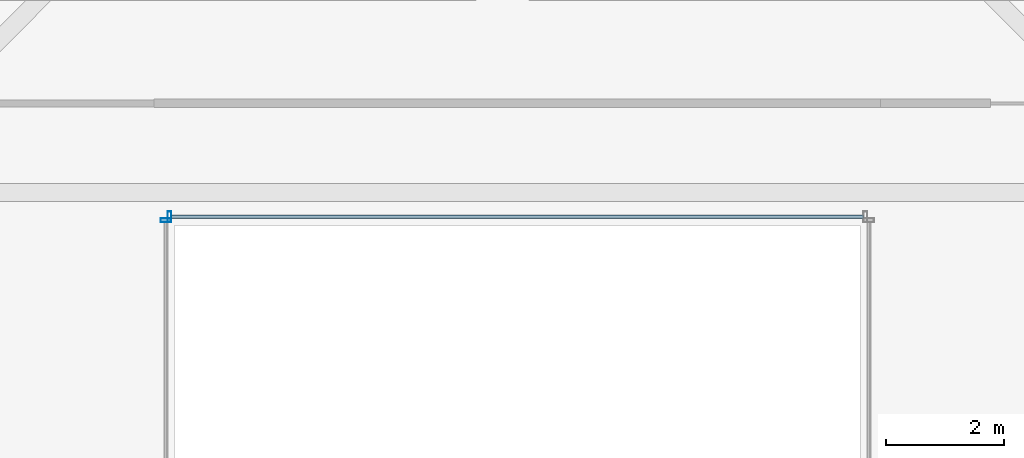
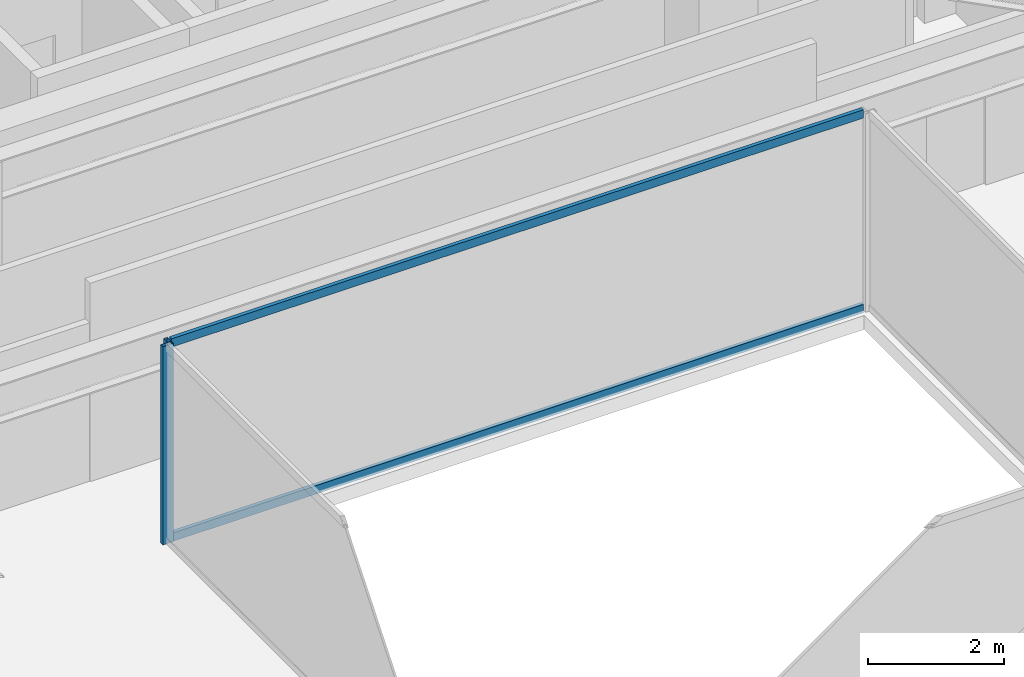
# One storey, part 11 of 36: 4 members, 2 elements without a shape of their own.
"""IFC4 building model written with IfcOpenShell, lengths in metres."""

from ifc_helpers import new_model, si_unit, direction, frame, origin, origin_2d, place, context, subcontext, project, spatial, hollow_rectangle, extrude, material, material_profile, profile_set, type_object, element, aggregate, save


model = new_model("IFC4")

# Units and contexts
model_context = context("Model", 3, precision=1e-05, world=origin(), true_north=direction((0.0, 1.0)))
body_context = subcontext(model_context, "Body", "Model", "MODEL_VIEW")
ifc_project = project(units=[si_unit("LENGTHUNIT", "METRE"), si_unit("AREAUNIT", "SQUARE_METRE"), si_unit("VOLUMEUNIT", "CUBIC_METRE"), si_unit("PLANEANGLEUNIT", "RADIAN"), si_unit("MASSUNIT", "GRAM", prefix="KILO")], contexts=[model_context])

# Site, building, storey
site_placement = place(None, origin())
site = spatial("IfcSite", under=ifc_project, at=site_placement, CompositionType="ELEMENT")
building_placement = place(site_placement, origin())
building = spatial("IfcBuilding", under=site, at=building_placement, Name="Saevonmaru Cultural Tower", CompositionType="ELEMENT")
storey_placement = place(building_placement, frame((0.0, 0.0, 171.39990234375)))
storey = spatial("IfcBuildingStorey", under=building, at=storey_placement, Name="L38", CompositionType="ELEMENT", Elevation=171.39990234375)

# Curtain wall, member
ifc_material = material(Name="Satin Bronze Anodised Aluminium", Category="aluminium")
curtain_wall_type = type_object("IfcCurtainWallType", Name="CW-ATR-GLZ", PredefinedType="NOTDEFINED", material=ifc_material)
curtain_wall_1_placement = place(storey_placement, origin())
curtain_wall_1 = element("IfcCurtainWall", 1, at=curtain_wall_1_placement, inside=storey, type_object=curtain_wall_type, Name="L38 Vertical Atrium Glazed Smoke Screen 3", PredefinedType="NOTDEFINED")
ifc_material_profile_1 = material_profile(ifc_material, hollow_rectangle(XDim=0.06494140625, YDim=0.179931640625, WallThickness=0.00390625, at=origin_2d()), Name="ALU-MULL-180x65x4")
ifc_profile_set_1 = profile_set([ifc_material_profile_1], Name="Satin Bronze Anodised Aluminium")
member_type_1 = type_object("IfcMemberType", Name="ML-CW-INT-180x65", PredefinedType="MULLION", material=ifc_profile_set_1)
member_1_placement = place(storey_placement, frame((24.110107421875, 37.030029296875, 0.0), z_axis=(0.0, 0.0, 1.0), x_axis=(-1.0, 0.0, 0.0)))
member_1 = element("IfcMember", 2, at=member_1_placement, type_object=member_type_1, Name="CW-ATR-L38-3 mullion 2", PredefinedType="MULLION", context=body_context, shape_type="SweptSolid", body=[
    extrude(hollow_rectangle(XDim=0.06494140625, YDim=0.179931640625, WallThickness=0.00390625, at=origin_2d()), origin(), (0.0, 0.0, 1.0), 3.550048828125),
])

curtain_wall_2_placement = place(storey_placement, origin())
curtain_wall_2 = element("IfcCurtainWall", 3, at=curtain_wall_2_placement, inside=storey, type_object=curtain_wall_type, Name="L38 Vertical Atrium Glazed Smoke Screen 4", PredefinedType="NOTDEFINED")
member_2_placement = place(storey_placement, frame((24.050048828125, 36.969970703125, 0.0), z_axis=(0.0, 0.0, 1.0), x_axis=(0.0, -1.0, 0.0)))
member_2 = element("IfcMember", 4, at=member_2_placement, type_object=member_type_1, Name="CW-ATR-L38-4 mullion 1", PredefinedType="MULLION", context=body_context, shape_type="SweptSolid", body=[
    extrude(hollow_rectangle(XDim=0.06494140625, YDim=0.179931640625, WallThickness=0.00390625, at=origin_2d()), origin(), (0.0, 0.0, 1.0), 3.550048828125),
])
aggregate(curtain_wall_2, [member_2])

# Member
ifc_material_profile_2 = material_profile(ifc_material, hollow_rectangle(XDim=0.06494140625, YDim=0.14990234375, WallThickness=0.00390625, at=origin_2d()), Name="ALU-TRAN-150x65x4")
ifc_profile_set_2 = profile_set([ifc_material_profile_2], Name="Satin Bronze Anodised Aluminium")
member_type_2 = type_object("IfcMemberType", Name="TR-CW-INT-150x65", PredefinedType="USERDEFINED", material=ifc_profile_set_2)
member_3_placement = place(storey_placement, frame((35.857421875, 37.030029296875, 0.03271484375), z_axis=(-1.0, 0.0, 0.0), x_axis=(0.0, -1.0, 0.0)))
member_3 = element("IfcMember", 5, at=member_3_placement, type_object=member_type_2, Name="CW-ATR-L38-3 transom 1.1", ObjectType="TRANSOM", PredefinedType="USERDEFINED", context=body_context, shape_type="SweptSolid", body=[
    extrude(hollow_rectangle(XDim=0.06494140625, YDim=0.14990234375, WallThickness=0.00390625, at=origin_2d()), origin(), (0.0, 0.0, 1.0), 11.71484375),
])

member_4_placement = place(storey_placement, frame((35.857421875, 37.030029296875, 3.517578125), z_axis=(-1.0, 0.0, 0.0), x_axis=(0.0, -1.0, 0.0)))
member_4 = element("IfcMember", 6, at=member_4_placement, type_object=member_type_2, Name="CW-ATR-L38-3 transom 1.2", ObjectType="TRANSOM", PredefinedType="USERDEFINED", context=body_context, shape_type="SweptSolid", body=[
    extrude(hollow_rectangle(XDim=0.06494140625, YDim=0.14990234375, WallThickness=0.00390625, at=origin_2d()), origin(), (0.0, 0.0, 1.0), 11.71484375),
])

aggregate(curtain_wall_1, [member_1, member_3, member_4])

save(model, "model.ifc")
